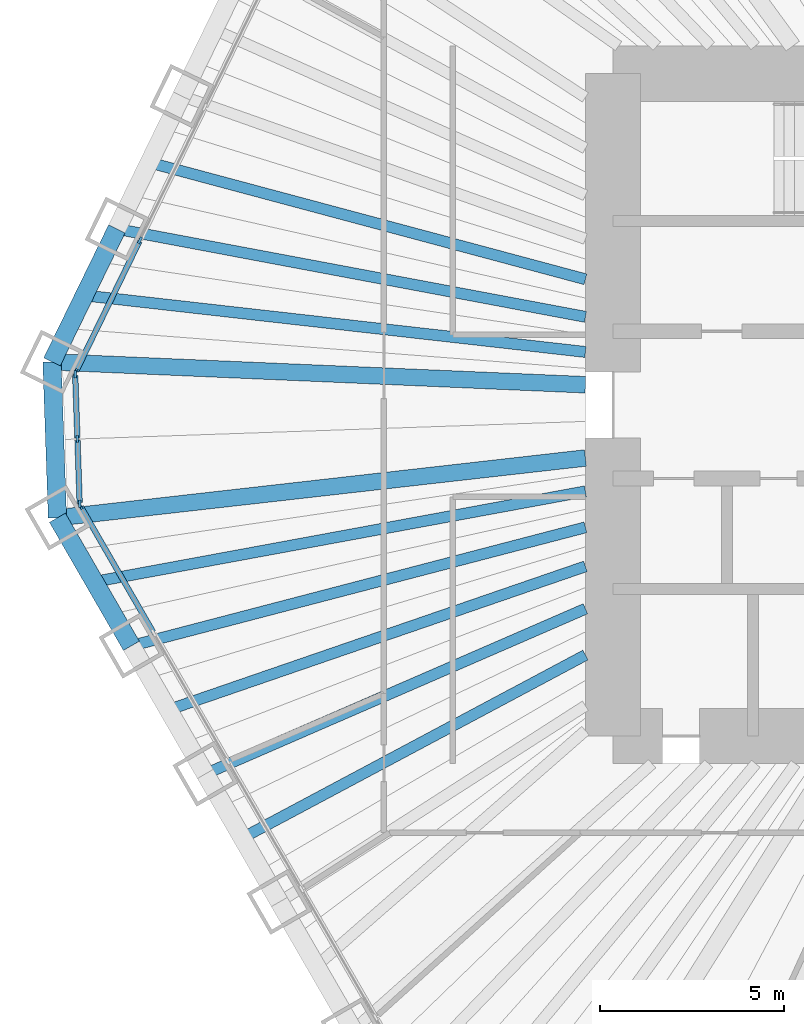
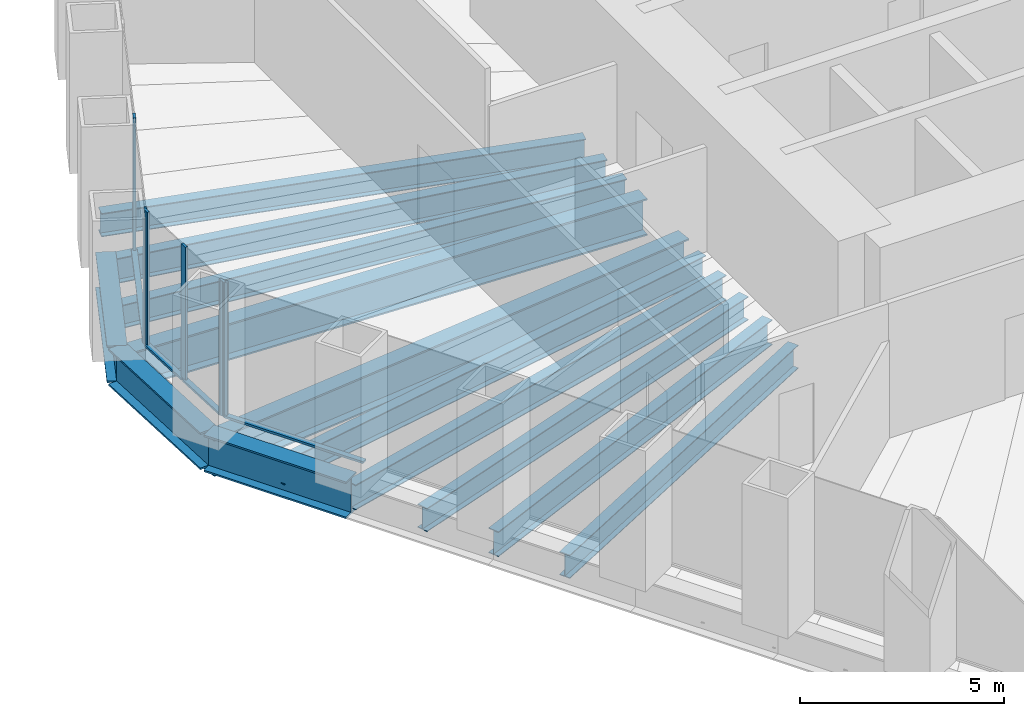
# One storey, part 3 of 13: 13 beams, 10 members, 3 elements without a shape of their own.
"""IFC4 building model written with IfcOpenShell, lengths in metres."""

from ifc_helpers import new_model, si_unit, direction, frame, origin, origin_2d, place, context, subcontext, project, spatial, rectangle, i_section, extrude, material, material_profile, profile_set, type_object, element, aggregate, save


model = new_model("IFC4")

# Units and contexts
model_context = context("Model", 3, precision=1e-05, world=origin(), true_north=direction((0.0, 1.0)))
body_context = subcontext(model_context, "Body", "Model", "MODEL_VIEW")
ifc_project = project(units=[si_unit("LENGTHUNIT", "METRE"), si_unit("AREAUNIT", "SQUARE_METRE"), si_unit("VOLUMEUNIT", "CUBIC_METRE"), si_unit("PLANEANGLEUNIT", "RADIAN"), si_unit("MASSUNIT", "GRAM", prefix="KILO")], contexts=[model_context])

# Site, building, storey
site_placement = place(None, origin())
site = spatial("IfcSite", under=ifc_project, at=site_placement, CompositionType="ELEMENT")
building_placement = place(site_placement, origin())
building = spatial("IfcBuilding", under=site, at=building_placement, Name="Qingtian Harvest Tower", CompositionType="ELEMENT")
storey_placement = place(building_placement, frame((0.0, 0.0, 166.0)))
storey = spatial("IfcBuildingStorey", under=building, at=storey_placement, Name="L35", CompositionType="ELEMENT", Elevation=166.0)

# Beams
ifc_material_1 = material(Name="Steel SM570MC", Category="steel")
ifc_material_profile_1 = material_profile(ifc_material_1, i_section(OverallWidth=0.449951171875, OverallDepth=1.10009765625, WebThickness=0.02197265625, FlangeThickness=0.044921875, at=origin_2d()), Name="H1100x450x22x45")
ifc_profile_set_1 = profile_set([ifc_material_profile_1], Name="Steel SM570MC")
beam_type_1 = type_object("IfcBeamType", Name="Corner floor beam FB8 H1100x450x22x45", PredefinedType="BEAM", material=ifc_profile_set_1)
beam_1_placement = place(storey_placement, frame((-27.096923828125, -3.066650390625, -0.719970703125), z_axis=(0.993656070393, 0.112461610213, 0.0), x_axis=(-0.112461610213, 0.993656070393, 0.0)))
element("IfcBeam", 1, at=beam_1_placement, inside=storey, type_object=beam_type_1, Name="Floor beam FB8 SW6", PredefinedType="BEAM", context=body_context, shape_type="SweptSolid", body=[
    extrude(i_section(OverallWidth=0.449951171875, OverallDepth=1.10009765625, WebThickness=0.02197265625, FlangeThickness=0.044921875, at=origin_2d()), origin(), (0.0, 0.0, 1.0), 14.4384765625),
])
beam_2_placement = place(storey_placement, frame((-27.244873046875, 1.1689453125, -0.719970703125), z_axis=(0.999081074678, -0.042860310542, 0.0), x_axis=(0.042860310542, 0.999081074678, 0.0)))
element("IfcBeam", 2, at=beam_2_placement, inside=storey, type_object=beam_type_1, Name="Floor beam FB8 NW0", PredefinedType="BEAM", context=body_context, shape_type="SweptSolid", body=[
    extrude(i_section(OverallWidth=0.449951171875, OverallDepth=1.10009765625, WebThickness=0.02197265625, FlangeThickness=0.044921875, at=origin_2d()), origin(), (0.0, 0.0, 1.0), 14.50830078125),
])
ifc_material_2 = material(Name="Steel SN490B", Category="steel")
ifc_material_profile_2 = material_profile(ifc_material_2, i_section(OverallWidth=0.300048828125, OverallDepth=0.75, WebThickness=0.013916015625, FlangeThickness=0.02490234375, at=origin_2d()), Name="H750x300x14x25")
ifc_profile_set_2 = profile_set([ifc_material_profile_2], Name="Steel SN490B")
beam_type_2 = type_object("IfcBeamType", Name="Floor beam FB12 H750x300x14x25", PredefinedType="BEAM", material=ifc_profile_set_2)
beam_3_placement = place(storey_placement, frame((-23.077880859375, -10.02783203125, -0.544921875), z_axis=(0.917154138631, 0.398532666154, 0.0), x_axis=(-0.398532666154, 0.917154138631, 0.0)))
element("IfcBeam", 3, at=beam_3_placement, inside=storey, type_object=beam_type_2, Name="Floor beam FB12 SW4", PredefinedType="BEAM", context=body_context, shape_type="SweptSolid", body=[
    extrude(i_section(OverallWidth=0.300048828125, OverallDepth=0.75, WebThickness=0.013916015625, FlangeThickness=0.02490234375, at=origin_2d()), origin(), (0.0, 0.0, 1.0), 11.2607421875),
])
beam_4_placement = place(storey_placement, frame((-25.08740234375, -6.547119140625, -0.544921875), z_axis=(0.967592867696, 0.252515429991, 0.0), x_axis=(-0.252515429991, 0.967592867696, 0.0)))
element("IfcBeam", 4, at=beam_4_placement, inside=storey, type_object=beam_type_2, Name="Floor beam FB12 SW5", PredefinedType="BEAM", context=body_context, shape_type="SweptSolid", body=[
    extrude(i_section(OverallWidth=0.300048828125, OverallDepth=0.75, WebThickness=0.013916015625, FlangeThickness=0.02490234375, at=origin_2d()), origin(), (0.0, 0.0, 1.0), 12.750732421875),
])
beam_5_placement = place(storey_placement, frame((-25.483154296875, 4.78125, -0.544921875), z_axis=(0.982851913913, -0.184396625015, 0.0), x_axis=(0.184396625015, 0.982851913913, 0.0)))
element("IfcBeam", 5, at=beam_5_placement, inside=storey, type_object=beam_type_2, Name="Floor beam FB12 NW1", PredefinedType="BEAM", context=body_context, shape_type="SweptSolid", body=[
    extrude(i_section(OverallWidth=0.300048828125, OverallDepth=0.75, WebThickness=0.013916015625, FlangeThickness=0.02490234375, at=origin_2d()), origin(), (0.0, 0.0, 1.0), 12.955322265625),
])
ifc_material_3 = material(Name="Steel SN490B", Category="steel")
ifc_material_profile_3 = material_profile(ifc_material_3, i_section(OverallWidth=0.300048828125, OverallDepth=0.699951171875, WebThickness=0.012939453125, FlangeThickness=0.02392578125, at=origin_2d()), Name="H700x300x13x24")
ifc_profile_set_3 = profile_set([ifc_material_profile_3], Name="Steel SN490B")
beam_type_3 = type_object("IfcBeamType", Name="Floor joist J2 H700x300x13x24", PredefinedType="JOIST", material=ifc_profile_set_3)
beam_6_placement = place(storey_placement, frame((-22.0732421875, -11.76806640625, -0.52001953125), z_axis=(0.882429048443, 0.47044550637, 0.0), x_axis=(-0.47044550637, 0.882429048443, 0.0)))
element("IfcBeam", 6, at=beam_6_placement, inside=storey, type_object=beam_type_3, Name="Floor joist J2 SW3", PredefinedType="JOIST", context=body_context, shape_type="SweptSolid", body=[
    extrude(i_section(OverallWidth=0.300048828125, OverallDepth=0.699951171875, WebThickness=0.012939453125, FlangeThickness=0.02392578125, at=origin_2d()), origin(), (0.0, 0.0, 1.0), 10.5654296875),
])
beam_7_placement = place(storey_placement, frame((-24.082763671875, -8.28759765625, -0.52001953125), z_axis=(0.945577150072, 0.325397992099, 0.0), x_axis=(-0.325397992099, 0.945577150072, 0.0)))
element("IfcBeam", 7, at=beam_7_placement, inside=storey, type_object=beam_type_3, Name="Floor joist J2 SW4", PredefinedType="JOIST", context=body_context, shape_type="SweptSolid", body=[
    extrude(i_section(OverallWidth=0.300048828125, OverallDepth=0.699951171875, WebThickness=0.012939453125, FlangeThickness=0.02392578125, at=origin_2d()), origin(), (0.0, 0.0, 1.0), 11.985107421875),
])
beam_8_placement = place(storey_placement, frame((-26.09228515625, -4.806884765625, -0.52001953125), z_axis=(0.983450319804, 0.181178002192, 0.0), x_axis=(-0.181178002192, 0.983450319804, 0.0)))
element("IfcBeam", 8, at=beam_8_placement, inside=storey, type_object=beam_type_3, Name="Floor joist J2 SW5", PredefinedType="JOIST", context=body_context, shape_type="SweptSolid", body=[
    extrude(i_section(OverallWidth=0.300048828125, OverallDepth=0.699951171875, WebThickness=0.012939453125, FlangeThickness=0.02392578125, at=origin_2d()), origin(), (0.0, 0.0, 1.0), 13.56689453125),
])
beam_9_placement = place(storey_placement, frame((-26.364013671875, 2.97509765625, -0.52001953125), z_axis=(0.993692330348, -0.112140771387, 0.0), x_axis=(0.112140771387, 0.993692330348, 0.0)))
element("IfcBeam", 9, at=beam_9_placement, inside=storey, type_object=beam_type_3, Name="Floor joist J2 NW0", PredefinedType="JOIST", context=body_context, shape_type="SweptSolid", body=[
    extrude(i_section(OverallWidth=0.300048828125, OverallDepth=0.699951171875, WebThickness=0.012939453125, FlangeThickness=0.02392578125, at=origin_2d()), origin(), (0.0, 0.0, 1.0), 13.700439453125),
])
beam_10_placement = place(storey_placement, frame((-24.60205078125, 6.58740234375, -0.52001953125), z_axis=(0.965969893862, -0.258654526641, 0.0), x_axis=(0.258654526641, 0.965969893862, 0.0)))
element("IfcBeam", 10, at=beam_10_placement, inside=storey, type_object=beam_type_3, Name="Floor joist J2 NW1", PredefinedType="JOIST", context=body_context, shape_type="SweptSolid", body=[
    extrude(i_section(OverallWidth=0.300048828125, OverallDepth=0.699951171875, WebThickness=0.012939453125, FlangeThickness=0.02392578125, at=origin_2d()), origin(), (0.0, 0.0, 1.0), 12.26953125),
])

# Curtain wall, member
ifc_material_4 = material(Name="Bronze-anodised aluminium curtain wall", Category="aluminium")
curtain_wall_type = type_object("IfcCurtainWallType", Name="Curtain wall CW4 office", PredefinedType="USERDEFINED", material=ifc_material_4)
curtain_wall_1_placement = place(storey_placement, origin())
curtain_wall_1 = element("IfcCurtainWall", 11, at=curtain_wall_1_placement, inside=storey, type_object=curtain_wall_type, Name="Curtain wall CW4 L35 SW0-5", ObjectType="RECESSED CURTAIN WALL", PredefinedType="USERDEFINED")
ifc_material_5 = material(Name="Bronze-anodised aluminium mullion", Category="aluminium")
ifc_material_profile_4 = material_profile(ifc_material_5, rectangle(XDim=0.06494140625, YDim=0.199951171875, at=origin_2d()), Name="AL 65x200")
ifc_profile_set_4 = profile_set([ifc_material_profile_4], Name="Bronze-anodised aluminium mullion")
member_type_1 = type_object("IfcMemberType", Name="Mullion CWM 65x200", PredefinedType="MULLION", material=ifc_profile_set_4)
member_1_placement = place(storey_placement, frame((-26.474609375, -2.744873046875, 0.0), z_axis=(0.0, 0.0, 1.0), x_axis=(-0.866025403784, -0.5, 0.0)))
member_1 = element("IfcMember", 12, at=member_1_placement, type_object=member_type_1, Name="CW4 mullion 7", PredefinedType="MULLION", context=body_context, shape_type="SweptSolid", body=[
    extrude(rectangle(XDim=0.06494140625, YDim=0.199951171875, at=origin_2d()), origin(), (0.0, 0.0, 1.0), 4.030029296875),
])

# Curtain wall, members
curtain_wall_2_placement = place(storey_placement, origin())
curtain_wall_2 = element("IfcCurtainWall", 13, at=curtain_wall_2_placement, inside=storey, type_object=curtain_wall_type, Name="Curtain wall CW4 L35 SWC", ObjectType="RECESSED CURTAIN WALL", PredefinedType="USERDEFINED")
member_2_placement = place(storey_placement, frame((-26.491943359375, -2.68408203125, 0.0), z_axis=(0.0, 0.0, 1.0), x_axis=(-0.999390827019, -0.034899496703, 0.0)))
member_2 = element("IfcMember", 14, at=member_2_placement, type_object=member_type_1, Name="CW4 mullion 1", PredefinedType="MULLION", context=body_context, shape_type="SweptSolid", body=[
    extrude(rectangle(XDim=0.06494140625, YDim=0.199951171875, at=origin_2d()), origin(), (0.0, 0.0, 1.0), 4.030029296875),
])
member_3_placement = place(storey_placement, frame((-26.55322265625, -0.92724609375, 0.0), z_axis=(0.0, 0.0, 1.0), x_axis=(-0.999390827019, -0.034899496703, 0.0)))
member_3 = element("IfcMember", 15, at=member_3_placement, type_object=member_type_1, Name="CW4 mullion 2", PredefinedType="MULLION", context=body_context, shape_type="SweptSolid", body=[
    extrude(rectangle(XDim=0.06494140625, YDim=0.199951171875, at=origin_2d()), origin(), (0.0, 0.0, 1.0), 4.030029296875),
])
member_4_placement = place(storey_placement, frame((-26.614501953125, 0.82958984375, 0.0), z_axis=(0.0, 0.0, 1.0), x_axis=(-0.999390827019, -0.034899496703, 0.0)))
member_4 = element("IfcMember", 16, at=member_4_placement, type_object=member_type_1, Name="CW4 mullion 3", PredefinedType="MULLION", context=body_context, shape_type="SweptSolid", body=[
    extrude(rectangle(XDim=0.06494140625, YDim=0.199951171875, at=origin_2d()), origin(), (0.0, 0.0, 1.0), 4.030029296875),
])

curtain_wall_3_placement = place(storey_placement, origin())
curtain_wall_3 = element("IfcCurtainWall", 17, at=curtain_wall_3_placement, inside=storey, type_object=curtain_wall_type, Name="Curtain wall CW4 L35 NW0-5", ObjectType="RECESSED CURTAIN WALL", PredefinedType="USERDEFINED")
member_5_placement = place(storey_placement, frame((-26.6015625, 0.891357421875, 0.0), z_axis=(0.0, 0.0, 1.0), x_axis=(-0.898794046299, 0.438371146789, 0.0)))
member_5 = element("IfcMember", 18, at=member_5_placement, type_object=member_type_1, Name="CW4 mullion 1", PredefinedType="MULLION", context=body_context, shape_type="SweptSolid", body=[
    extrude(rectangle(XDim=0.06494140625, YDim=0.199951171875, at=origin_2d()), origin(), (0.0, 0.0, 1.0), 4.030029296875),
])
member_6_placement = place(storey_placement, frame((-24.85400390625, 4.474365234375, 0.0), z_axis=(0.0, 0.0, 1.0), x_axis=(-0.898794046299, 0.438371146789, 0.0)))
member_6 = element("IfcMember", 19, at=member_6_placement, type_object=member_type_1, Name="CW4 mullion 2", PredefinedType="MULLION", context=body_context, shape_type="SweptSolid", body=[
    extrude(rectangle(XDim=0.06494140625, YDim=0.199951171875, at=origin_2d()), origin(), (0.0, 0.0, 1.0), 4.030029296875),
])

# Beams
ifc_material_6 = material(Name="Steel SM570MC", Category="steel")
ifc_material_profile_5 = material_profile(ifc_material_6, i_section(OverallWidth=0.5, OverallDepth=1.10009765625, WebThickness=0.02490234375, FlangeThickness=0.050048828125, at=origin_2d()), Name="H1100x500x25x50")
ifc_profile_set_5 = profile_set([ifc_material_profile_5], Name="Steel SM570MC")
beam_type_4 = type_object("IfcBeamType", Name="Spandrel beam SB2 H1100x500x25x50", PredefinedType="SPANDREL", material=ifc_profile_set_5)
beam_11_placement = place(storey_placement, frame((-25.08740234375, -6.547119140625, -0.550048828125), z_axis=(-0.500013420409, 0.866017655369, 0.0), x_axis=(-0.866017655369, -0.500013420409, 0.0)))
element("IfcBeam", 20, at=beam_11_placement, inside=storey, type_object=beam_type_4, Name="Spandrel SB2 SW5", PredefinedType="SPANDREL", context=body_context, shape_type="SweptSolid", body=[
    extrude(i_section(OverallWidth=0.5, OverallDepth=1.10009765625, WebThickness=0.02490234375, FlangeThickness=0.050048828125, at=origin_2d()), origin(), (0.0, 0.0, 1.0), 4.01904296875),
])
beam_12_placement = place(storey_placement, frame((-27.096923828125, -3.066650390625, -0.550048828125), z_axis=(-0.034908677553, 0.999390506375, 0.0), x_axis=(-0.999390506375, -0.034908677553, 0.0)))
element("IfcBeam", 21, at=beam_12_placement, inside=storey, type_object=beam_type_4, Name="Spandrel SB2 SWC", PredefinedType="SPANDREL", context=body_context, shape_type="SweptSolid", body=[
    extrude(i_section(OverallWidth=0.5, OverallDepth=1.10009765625, WebThickness=0.02490234375, FlangeThickness=0.050048828125, at=origin_2d()), origin(), (0.0, 0.0, 1.0), 4.23828125),
])
beam_13_placement = place(storey_placement, frame((-27.244873046875, 1.1689453125, -0.550048828125), z_axis=(0.438347033158, 0.898805806902, 0.0), x_axis=(-0.898805806902, 0.438347033158, 0.0)))
element("IfcBeam", 22, at=beam_13_placement, inside=storey, type_object=beam_type_4, Name="Spandrel SB2 NW0", PredefinedType="SPANDREL", context=body_context, shape_type="SweptSolid", body=[
    extrude(i_section(OverallWidth=0.5, OverallDepth=1.10009765625, WebThickness=0.02490234375, FlangeThickness=0.050048828125, at=origin_2d()), origin(), (0.0, 0.0, 1.0), 4.01904296875),
])

# Member
ifc_material_7 = material(Name="Bronze-anodised aluminium transom", Category="aluminium")
ifc_material_profile_6 = material_profile(ifc_material_7, rectangle(XDim=0.14990234375, YDim=0.06494140625, at=origin_2d()), Name="AL 65x150")
ifc_profile_set_6 = profile_set([ifc_material_profile_6], Name="Bronze-anodised aluminium transom")
member_type_2 = type_object("IfcMemberType", Name="Transom CWT 65x150", PredefinedType="USERDEFINED", material=ifc_profile_set_6)
member_7_placement = place(storey_placement, frame((-24.49755859375, -6.169189453125, 0.032470703125), z_axis=(-0.499975738995, 0.866039410429, 0.0), x_axis=(-0.866039410429, -0.499975738995, 0.0)))
member_7 = element("IfcMember", 23, at=member_7_placement, type_object=member_type_2, Name="CW4 transom 6.1", ObjectType="TRANSOM", PredefinedType="USERDEFINED", context=body_context, shape_type="SweptSolid", body=[
    extrude(rectangle(XDim=0.14990234375, YDim=0.06494140625, at=origin_2d()), origin(), (0.0, 0.0, 1.0), 3.921630859375),
])

aggregate(curtain_wall_1, [member_1, member_7])

member_8_placement = place(storey_placement, frame((-26.4931640625, -2.651611328125, 0.032470703125), z_axis=(-0.034899362377, 0.99939083171, 0.0), x_axis=(-0.99939083171, -0.034899362377, 0.0)))
member_8 = element("IfcMember", 24, at=member_8_placement, type_object=member_type_2, Name="CW4 transom 1.1", ObjectType="TRANSOM", PredefinedType="USERDEFINED", context=body_context, shape_type="SweptSolid", body=[
    extrude(rectangle(XDim=0.14990234375, YDim=0.06494140625, at=origin_2d()), origin(), (0.0, 0.0, 1.0), 1.69287109375),
])

member_9_placement = place(storey_placement, frame((-26.554443359375, -0.894775390625, 0.032470703125), z_axis=(-0.034899362377, 0.99939083171, 0.0), x_axis=(-0.99939083171, -0.034899362377, 0.0)))
member_9 = element("IfcMember", 25, at=member_9_placement, type_object=member_type_2, Name="CW4 transom 2.1", ObjectType="TRANSOM", PredefinedType="USERDEFINED", context=body_context, shape_type="SweptSolid", body=[
    extrude(rectangle(XDim=0.14990234375, YDim=0.06494140625, at=origin_2d()), origin(), (0.0, 0.0, 1.0), 1.69287109375),
])

aggregate(curtain_wall_2, [member_2, member_3, member_4, member_8, member_9])

member_10_placement = place(storey_placement, frame((-26.587158203125, 0.92041015625, 0.032470703125), z_axis=(0.438326734225, 0.898815706396, 0.0), x_axis=(-0.898815706396, 0.438326734225, 0.0)))
member_10 = element("IfcMember", 26, at=member_10_placement, type_object=member_type_2, Name="CW4 transom 1.1", ObjectType="TRANSOM", PredefinedType="USERDEFINED", context=body_context, shape_type="SweptSolid", body=[
    extrude(rectangle(XDim=0.14990234375, YDim=0.06494140625, at=origin_2d()), origin(), (0.0, 0.0, 1.0), 3.921630859375),
])

aggregate(curtain_wall_3, [member_5, member_6, member_10])

save(model, "model.ifc")
